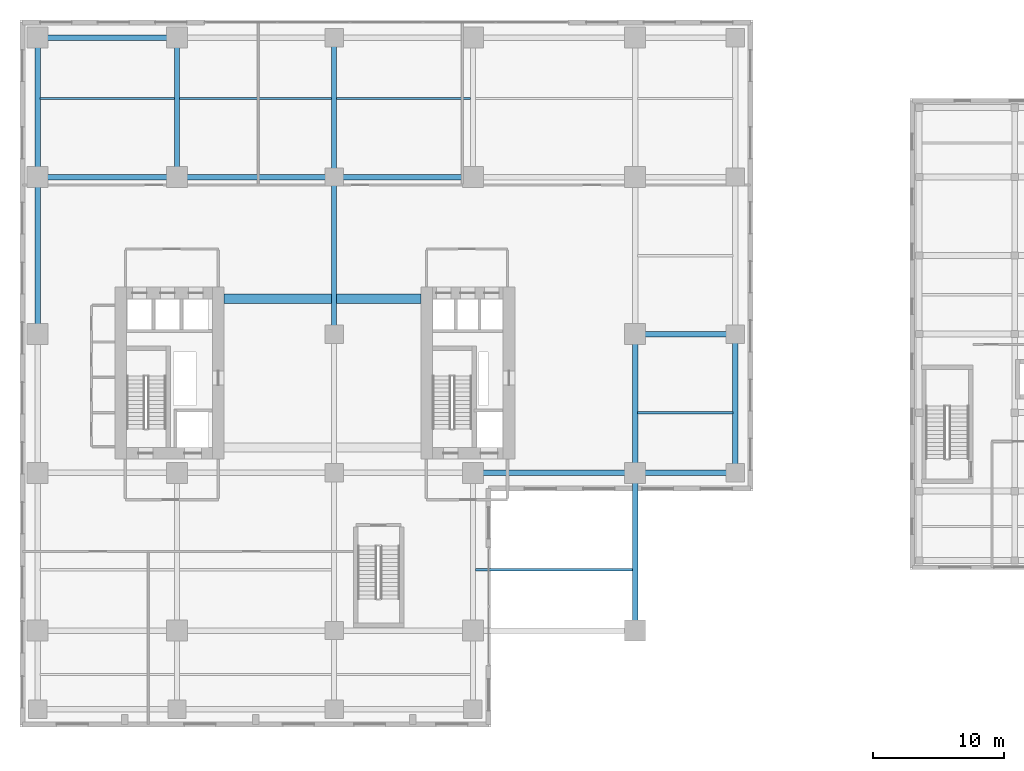
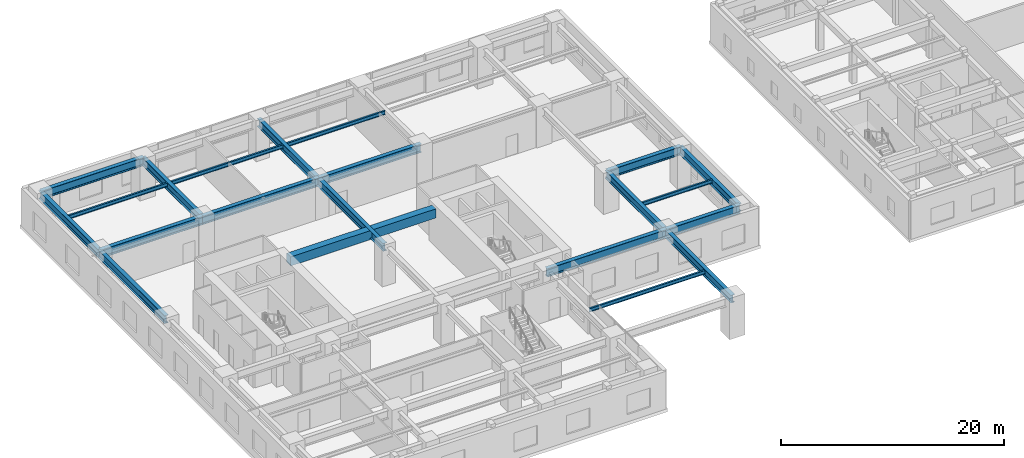
# One storey, part 4 of 26: 21 beams.
"""IFC4 building model written with IfcOpenShell, lengths in metres."""

from ifc_helpers import new_model, si_unit, direction, frame, origin, origin_2d, place, context, subcontext, project, spatial, rectangle, i_section, extrude, source, transform, mapped, material, material_profile, profile_set, type_object, element, save


model = new_model("IFC4")

# Units and contexts
model_context = context("Model", 3, precision=1e-05, world=origin(), true_north=direction((0.0, 1.0)))
body_context = subcontext(model_context, "Body", "Model", "MODEL_VIEW")
ifc_project = project(units=[si_unit("LENGTHUNIT", "METRE"), si_unit("AREAUNIT", "SQUARE_METRE"), si_unit("VOLUMEUNIT", "CUBIC_METRE"), si_unit("PLANEANGLEUNIT", "RADIAN"), si_unit("MASSUNIT", "GRAM", prefix="KILO")], contexts=[model_context])

# Site, building, storey
site_placement = place(None, origin())
site = spatial("IfcSite", under=ifc_project, at=site_placement, CompositionType="ELEMENT")
building_placement = place(site_placement, origin())
building = spatial("IfcBuilding", under=site, at=building_placement, Name="Khoralis Quay Care Tower", CompositionType="ELEMENT")
storey_placement = place(building_placement, frame((0.0, 0.0, 13.5)))
storey = spatial("IfcBuildingStorey", under=building, at=storey_placement, Name="L03", CompositionType="ELEMENT", Elevation=13.5)

# Beams
ifc_material_1 = material(Name="Concrete C80/95", Category="concrete")
ifc_material_profile_1 = material_profile(ifc_material_1, rectangle(XDim=0.699951171875, YDim=1.0, at=origin_2d()), Name="Concrete C80/95")
ifc_profile_set_1 = profile_set([ifc_material_profile_1], Name="Concrete C80/95")
beam_type_1 = type_object("IfcBeamType", Name="CB-RC700X1000", PredefinedType="LINTEL", material=ifc_profile_set_1)
shared_shape_1 = source(origin(), body_context, "Body", "SweptSolid", [
    extrude(rectangle(XDim=0.699951171875, YDim=1.0, at=origin_2d()), origin(), (0.0, 0.0, 1.0), 15.079833984375),
])
beam_1_placement = place(storey_placement, frame((15.570068359375, 26.699951171875, 3.659912109375), z_axis=(1.0, 0.0, 0.0), x_axis=(0.0, 1.0, 0.0)))
element("IfcBeam", 1, at=beam_1_placement, inside=storey, type_object=beam_type_1, Name="L03 North Core Coupling Lintel", PredefinedType="LINTEL", context=body_context, shape_type="MappedRepresentation", body=[
    mapped(shared_shape_1, transform((0.0, 0.0, 0.0), scale=1.0)),
])
ifc_material_2 = material(Name="Steel S355", Category="steel")
ifc_material_profile_2 = material_profile(ifc_material_2, i_section(OverallWidth=0.41796875, OverallDepth=0.912109375, WebThickness=0.019287109375, FlangeThickness=0.031982421875, FilletRadius=0.02392578125, at=origin_2d()), Name="Steel S355")
ifc_profile_set_2 = profile_set([ifc_material_profile_2], Name="Steel S355")
beam_type_2 = type_object("IfcBeamType", Name="BM-W920X342", PredefinedType="BEAM", material=ifc_profile_set_2)
shared_shape_2 = source(origin(), body_context, "Body", "SweptSolid", [
    extrude(i_section(OverallWidth=0.41796875, OverallDepth=0.912109375, WebThickness=0.019287109375, FlangeThickness=0.031982421875, FilletRadius=0.02392578125, at=origin_2d()), origin(), (0.0, 0.0, 1.0), 10.64990234375),
])
for number, where, z_axis, x_axis, name in (
    (2, (1.35009765625, 36.0, 3.7041015625), (1.0, 0.0, 0.0), (0.0, 1.0, 0.0), "BM-PODX-L03-14"),
    (3, (1.35009765625, 46.64990234375, 3.7041015625), (1.0, 0.0, 0.0), (0.0, 1.0, 0.0), "BM-PODX-L03-19"),
):
    element("IfcBeam", number, at=place(storey_placement, frame(where, z_axis=z_axis, x_axis=x_axis)), inside=storey, type_object=beam_type_2, Name=name, PredefinedType="BEAM", context=body_context, shape_type="MappedRepresentation", body=[
        mapped(shared_shape_2, transform((0.0, 0.0, 0.0), scale=1.0)),
    ])
shared_shape_3 = source(origin(), body_context, "Body", "SweptSolid", [
    extrude(i_section(OverallWidth=0.41796875, OverallDepth=0.912109375, WebThickness=0.019287109375, FlangeThickness=0.031982421875, FilletRadius=0.02392578125, at=origin_2d()), origin(), (0.0, 0.0, 1.0), 12.0),
])
beam_2_placement = place(storey_placement, frame((12.0, 36.0, 3.7041015625), z_axis=(1.0, 0.0, 0.0), x_axis=(0.0, 1.0, 0.0)))
element("IfcBeam", 4, at=beam_2_placement, inside=storey, type_object=beam_type_2, Name="BM-PODX-L03-15", PredefinedType="BEAM", context=body_context, shape_type="MappedRepresentation", body=[
    mapped(shared_shape_3, transform((0.0, 0.0, 0.0), scale=1.0)),
])
shared_shape_4 = source(origin(), body_context, "Body", "SweptSolid", [
    extrude(i_section(OverallWidth=0.41796875, OverallDepth=0.912109375, WebThickness=0.019287109375, FlangeThickness=0.031982421875, FilletRadius=0.02392578125, at=origin_2d()), origin(), (0.0, 0.0, 1.0), 10.60009765625),
])
beam_3_placement = place(storey_placement, frame((24.0, 36.0, 3.7041015625), z_axis=(1.0, 0.0, 0.0), x_axis=(0.0, 1.0, 0.0)))
element("IfcBeam", 5, at=beam_3_placement, inside=storey, type_object=beam_type_2, Name="BM-PODX-L03-16", PredefinedType="BEAM", context=body_context, shape_type="MappedRepresentation", body=[
    mapped(shared_shape_4, transform((0.0, 0.0, 0.0), scale=1.0)),
])
shared_shape_5 = source(origin(), body_context, "Body", "SweptSolid", [
    extrude(i_section(OverallWidth=0.41796875, OverallDepth=0.912109375, WebThickness=0.019287109375, FlangeThickness=0.031982421875, FilletRadius=0.02392578125, at=origin_2d()), origin(), (0.0, 0.0, 1.0), 12.39990234375),
])
beam_4_placement = place(storey_placement, frame((34.60009765625, 13.39990234375, 3.7041015625), z_axis=(1.0, 0.0, 0.0), x_axis=(0.0, 1.0, 0.0)))
element("IfcBeam", 6, at=beam_4_placement, inside=storey, type_object=beam_type_2, Name="BM-PODX-L03-11", PredefinedType="BEAM", context=body_context, shape_type="MappedRepresentation", body=[
    mapped(shared_shape_5, transform((0.0, 0.0, 0.0), scale=1.0)),
])
shared_shape_6 = source(origin(), body_context, "Body", "SweptSolid", [
    extrude(i_section(OverallWidth=0.41796875, OverallDepth=0.912109375, WebThickness=0.019287109375, FlangeThickness=0.031982421875, FilletRadius=0.02392578125, at=origin_2d()), origin(), (0.0, 0.0, 1.0), 7.64990234375),
])
for number, where, z_axis, x_axis, name in (
    (7, (47.0, 13.39990234375, 3.7041015625), (1.0, 0.0, 0.0), (0.0, 1.0, 0.0), "BM-PODX-L03-12"),
    (8, (47.0, 24.0, 3.7041015625), (1.0, 0.0, 0.0), (0.0, 1.0, 0.0), "BM-PODX-L03-13"),
):
    element("IfcBeam", number, at=place(storey_placement, frame(where, z_axis=z_axis, x_axis=x_axis)), inside=storey, type_object=beam_type_2, Name=name, PredefinedType="BEAM", context=body_context, shape_type="MappedRepresentation", body=[
        mapped(shared_shape_6, transform((0.0, 0.0, 0.0), scale=1.0)),
    ])
ifc_material_profile_3 = material_profile(ifc_material_2, i_section(OverallWidth=0.39990234375, OverallDepth=0.85498046875, WebThickness=0.018310546875, FlangeThickness=0.029296875, FilletRadius=0.02392578125, at=origin_2d()), Name="Steel S355")
ifc_profile_set_3 = profile_set([ifc_material_profile_3], Name="Steel S355")
beam_type_3 = type_object("IfcBeamType", Name="BM-W840X299", PredefinedType="BEAM", material=ifc_profile_set_3)
shared_shape_7 = source(origin(), body_context, "Body", "SweptSolid", [
    extrude(i_section(OverallWidth=0.39990234375, OverallDepth=0.85498046875, WebThickness=0.018310546875, FlangeThickness=0.029296875, FilletRadius=0.02392578125, at=origin_2d()), origin(), (0.0, 0.0, 1.0), 12.0498046875),
])
beam_5_placement = place(storey_placement, frame((47.0, 1.35009765625, 3.732421875), z_axis=(0.0, 1.0, 0.0), x_axis=(-1.0, 0.0, 0.0)))
element("IfcBeam", 9, at=beam_5_placement, inside=storey, type_object=beam_type_3, Name="BM-PODY-L03-40", PredefinedType="BEAM", context=body_context, shape_type="MappedRepresentation", body=[
    mapped(shared_shape_7, transform((0.0, 0.0, 0.0), scale=1.0)),
])
shared_shape_8 = source(origin(), body_context, "Body", "SweptSolid", [
    extrude(i_section(OverallWidth=0.39990234375, OverallDepth=0.85498046875, WebThickness=0.018310546875, FlangeThickness=0.029296875, FilletRadius=0.02392578125, at=origin_2d()), origin(), (0.0, 0.0, 1.0), 10.60009765625),
])
for number, where, z_axis, x_axis, name in (
    (10, (47.0, 13.39990234375, 3.732421875), (0.0, 1.0, 0.0), (-1.0, 0.0, 0.0), "BM-PODY-L03-41"),
    (11, (54.64990234375, 13.39990234375, 3.732421875), (0.0, 1.0, 0.0), (-1.0, 0.0, 0.0), "BM-PODY-L03-44"),
):
    element("IfcBeam", number, at=place(storey_placement, frame(where, z_axis=z_axis, x_axis=x_axis)), inside=storey, type_object=beam_type_3, Name=name, PredefinedType="BEAM", context=body_context, shape_type="MappedRepresentation", body=[
        mapped(shared_shape_8, transform((0.0, 0.0, 0.0), scale=1.0)),
    ])
shared_shape_9 = source(origin(), body_context, "Body", "SweptSolid", [
    extrude(i_section(OverallWidth=0.39990234375, OverallDepth=0.85498046875, WebThickness=0.018310546875, FlangeThickness=0.029296875, FilletRadius=0.02392578125, at=origin_2d()), origin(), (0.0, 0.0, 1.0), 12.0),
])
for number, where, z_axis, x_axis, name in (
    (12, (1.35009765625, 24.0, 3.732421875), (0.0, 1.0, 0.0), (-1.0, 0.0, 0.0), "BM-PODY-L03-27"),
    (13, (24.0, 24.0, 3.732421875), (0.0, 1.0, 0.0), (-1.0, 0.0, 0.0), "BM-PODY-L03-35"),
):
    element("IfcBeam", number, at=place(storey_placement, frame(where, z_axis=z_axis, x_axis=x_axis)), inside=storey, type_object=beam_type_3, Name=name, PredefinedType="BEAM", context=body_context, shape_type="MappedRepresentation", body=[
        mapped(shared_shape_9, transform((0.0, 0.0, 0.0), scale=1.0)),
    ])
shared_shape_10 = source(origin(), body_context, "Body", "SweptSolid", [
    extrude(i_section(OverallWidth=0.39990234375, OverallDepth=0.85498046875, WebThickness=0.018310546875, FlangeThickness=0.029296875, FilletRadius=0.02392578125, at=origin_2d()), origin(), (0.0, 0.0, 1.0), 10.64990234375),
])
for number, where, z_axis, x_axis, name in (
    (14, (1.35009765625, 36.0, 3.732421875), (0.0, 1.0, 0.0), (-1.0, 0.0, 0.0), "BM-PODY-L03-28"),
    (15, (12.0, 36.0, 3.732421875), (0.0, 1.0, 0.0), (-1.0, 0.0, 0.0), "BM-PODY-L03-31"),
    (16, (24.0, 36.0, 3.732421875), (0.0, 1.0, 0.0), (-1.0, 0.0, 0.0), "BM-PODY-L03-36"),
):
    element("IfcBeam", number, at=place(storey_placement, frame(where, z_axis=z_axis, x_axis=x_axis)), inside=storey, type_object=beam_type_3, Name=name, PredefinedType="BEAM", context=body_context, shape_type="MappedRepresentation", body=[
        mapped(shared_shape_10, transform((0.0, 0.0, 0.0), scale=1.0)),
    ])
ifc_material_profile_4 = material_profile(ifc_material_2, i_section(OverallWidth=0.177978515625, OverallDepth=0.406982421875, WebThickness=0.0078125, FlangeThickness=0.0126953125, FilletRadius=0.012939453125, at=origin_2d()), Name="Steel S355")
ifc_profile_set_4 = profile_set([ifc_material_profile_4], Name="Steel S355")
beam_type_4 = type_object("IfcBeamType", Name="BM-W410X60", PredefinedType="JOIST", material=ifc_profile_set_4)
shared_shape_11 = source(origin(), body_context, "Body", "SweptSolid", [
    extrude(i_section(OverallWidth=0.177978515625, OverallDepth=0.406982421875, WebThickness=0.0078125, FlangeThickness=0.0126953125, FilletRadius=0.012939453125, at=origin_2d()), origin(), (0.0, 0.0, 1.0), 10.27392578125),
])
beam_6_placement = place(storey_placement, frame((1.5380859375, 42.0, 3.95654296875), z_axis=(1.0, 0.0, 0.0), x_axis=(0.0, 1.0, 0.0)))
element("IfcBeam", 17, at=beam_6_placement, inside=storey, type_object=beam_type_4, Name="BM-PODJ-L03-55", PredefinedType="JOIST", context=body_context, shape_type="MappedRepresentation", body=[
    mapped(shared_shape_11, transform((0.0, 0.0, 0.0), scale=1.0)),
])
shared_shape_12 = source(origin(), body_context, "Body", "SweptSolid", [
    extrude(i_section(OverallWidth=0.177978515625, OverallDepth=0.406982421875, WebThickness=0.0078125, FlangeThickness=0.0126953125, FilletRadius=0.012939453125, at=origin_2d()), origin(), (0.0, 0.0, 1.0), 11.6240234375),
])
beam_7_placement = place(storey_placement, frame((12.18798828125, 42.0, 3.95654296875), z_axis=(1.0, 0.0, 0.0), x_axis=(0.0, 1.0, 0.0)))
element("IfcBeam", 18, at=beam_7_placement, inside=storey, type_object=beam_type_4, Name="BM-PODJ-L03-56", PredefinedType="JOIST", context=body_context, shape_type="MappedRepresentation", body=[
    mapped(shared_shape_12, transform((0.0, 0.0, 0.0), scale=1.0)),
])
shared_shape_13 = source(origin(), body_context, "Body", "SweptSolid", [
    extrude(i_section(OverallWidth=0.177978515625, OverallDepth=0.406982421875, WebThickness=0.0078125, FlangeThickness=0.0126953125, FilletRadius=0.012939453125, at=origin_2d()), origin(), (0.0, 0.0, 1.0), 10.22412109375),
])
beam_8_placement = place(storey_placement, frame((24.18798828125, 42.0, 3.95654296875), z_axis=(1.0, 0.0, 0.0), x_axis=(0.0, 1.0, 0.0)))
element("IfcBeam", 19, at=beam_8_placement, inside=storey, type_object=beam_type_4, Name="BM-PODJ-L03-57", PredefinedType="JOIST", context=body_context, shape_type="MappedRepresentation", body=[
    mapped(shared_shape_13, transform((0.0, 0.0, 0.0), scale=1.0)),
])
shared_shape_14 = source(origin(), body_context, "Body", "SweptSolid", [
    extrude(i_section(OverallWidth=0.177978515625, OverallDepth=0.406982421875, WebThickness=0.0078125, FlangeThickness=0.0126953125, FilletRadius=0.012939453125, at=origin_2d()), origin(), (0.0, 0.0, 1.0), 12.02392578125),
])
beam_9_placement = place(storey_placement, frame((34.7880859375, 6.0, 3.95654296875), z_axis=(1.0, 0.0, 0.0), x_axis=(0.0, 1.0, 0.0)))
element("IfcBeam", 20, at=beam_9_placement, inside=storey, type_object=beam_type_4, Name="BM-PODJ-L03-52", PredefinedType="JOIST", context=body_context, shape_type="MappedRepresentation", body=[
    mapped(shared_shape_14, transform((0.0, 0.0, 0.0), scale=1.0)),
])
shared_shape_15 = source(origin(), body_context, "Body", "SweptSolid", [
    extrude(i_section(OverallWidth=0.177978515625, OverallDepth=0.406982421875, WebThickness=0.0078125, FlangeThickness=0.0126953125, FilletRadius=0.012939453125, at=origin_2d()), origin(), (0.0, 0.0, 1.0), 7.27392578125),
])
beam_10_placement = place(storey_placement, frame((47.18798828125, 18.0, 3.95654296875), z_axis=(1.0, 0.0, 0.0), x_axis=(0.0, 1.0, 0.0)))
element("IfcBeam", 21, at=beam_10_placement, inside=storey, type_object=beam_type_4, Name="BM-PODJ-L03-53", PredefinedType="JOIST", context=body_context, shape_type="MappedRepresentation", body=[
    mapped(shared_shape_15, transform((0.0, 0.0, 0.0), scale=1.0)),
])

save(model, "model.ifc")
